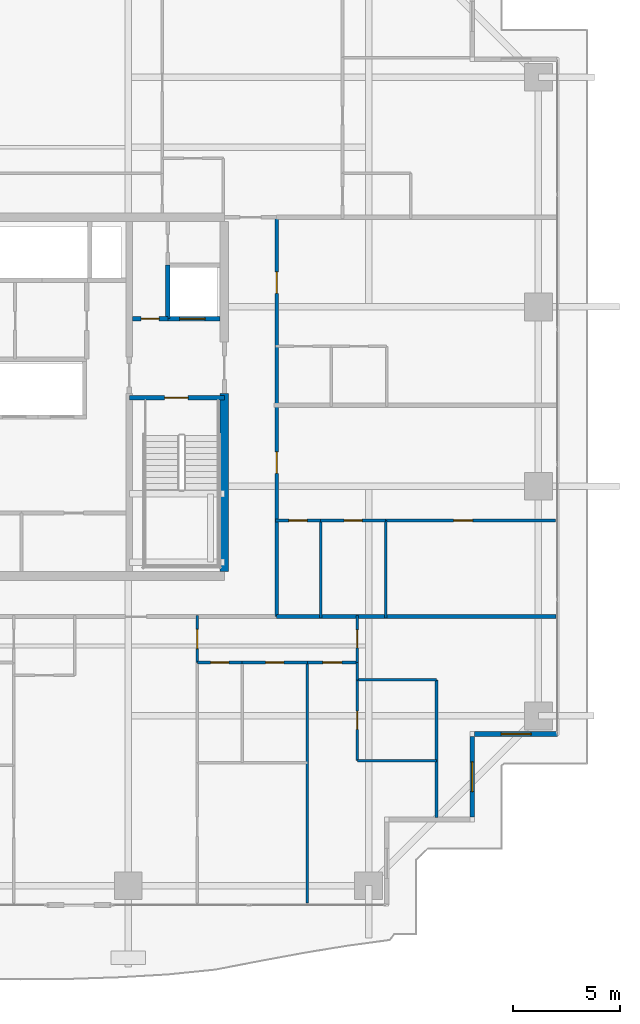
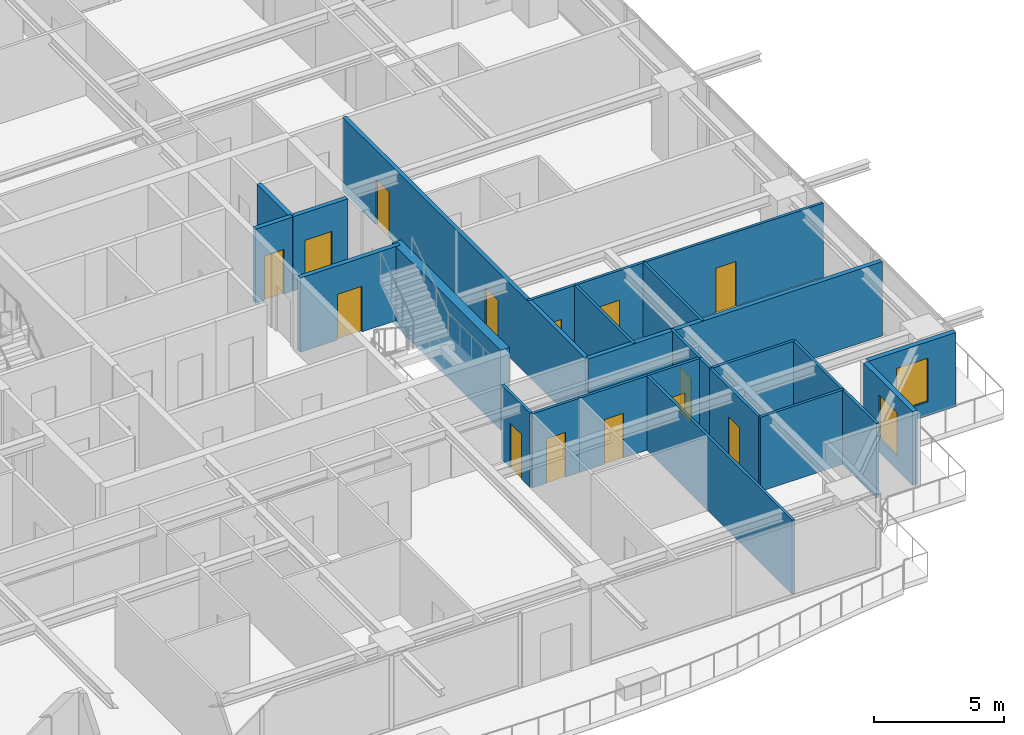
# One storey, part 26 of 34: 25 walls, 14 doors, 2 windows, 16 openings.
"""IFC4 building model written with IfcOpenShell, lengths in metres."""

from ifc_helpers import new_model, si_unit, direction, frame, frame_2d, origin, place, context, subcontext, project, spatial, rectangle, extrude, source, transform, mapped, material, layer, layer_set, type_object, element, fill, save


model = new_model("IFC4")

# Units and contexts
model_context = context("Model", 3, precision=1e-05, world=origin(), true_north=direction((0.0, 1.0)))
body_context = subcontext(model_context, "Body", "Model", "MODEL_VIEW")
ifc_project = project(units=[si_unit("LENGTHUNIT", "METRE"), si_unit("AREAUNIT", "SQUARE_METRE"), si_unit("VOLUMEUNIT", "CUBIC_METRE"), si_unit("PLANEANGLEUNIT", "RADIAN"), si_unit("MASSUNIT", "GRAM", prefix="KILO")], contexts=[model_context])

# Site, building, storey
site_placement = place(None, origin())
site = spatial("IfcSite", under=ifc_project, at=site_placement, CompositionType="ELEMENT")
building_placement = place(site_placement, origin())
building = spatial("IfcBuilding", under=site, at=building_placement, Name="Serunith Strait Residences", CompositionType="ELEMENT")
storey_placement = place(building_placement, frame((0.0, 0.0, 187.64990234375)))
storey = spatial("IfcBuildingStorey", under=building, at=storey_placement, Name="L47", CompositionType="ELEMENT", Elevation=187.64990234375)

# Wall, opening, window
ifc_material_1 = material(Name="Pale-Champagne Aluminium Insulated Panel", Category="aluminium")
ifc_layer_1 = layer(ifc_material_1, 0.219970703125, Name="Pale-Champagne Aluminium Insulated Panel")
ifc_layer_set_1 = layer_set([ifc_layer_1], Name="Pale-Champagne Aluminium Insulated Panel")
wall_type_1 = type_object("IfcWallType", Name="EW-ALUM-220", PredefinedType="ELEMENTEDWALL", material=ifc_layer_set_1)
wall_1_placement = place(storey_placement, frame((53.0, 5.510009765625, 0.0), z_axis=(0.0, 0.0, 1.0), x_axis=(0.0, 1.0, 0.0)))
wall_1 = element("IfcWall", 1, at=wall_1_placement, inside=storey, type_object=wall_type_1, Name="L47 Girih Serrated Corner Wall 04", PredefinedType="ELEMENTEDWALL", context=body_context, shape_type="SweptSolid", body=[
    extrude(rectangle(XDim=3.780029296875, YDim=0.219970703125, at=frame_2d((1.89013671875, 0.0))), origin(), (0.0, 0.0, 1.0), 3.47509765625),
])
opening_1_placement = place(wall_1_placement, frame((1.18994140625, 0.0, 0.64990234375)))
opening_1 = element("IfcOpeningElement", 2, at=opening_1_placement, cuts=wall_1, Name="Opening W-03", PredefinedType="OPENING", context=body_context, shape_type="SweptSolid", body=[
    extrude(rectangle(XDim=1.39990234375, YDim=2.050048828125, at=frame_2d((0.699951171875, 1.02490234375))), frame((0.0, 0.1201171875, 0.0), z_axis=(0.0, -1.0, 0.0), x_axis=(1.0, 0.0, 0.0)), (0.0, 0.0, 1.0), 0.239990234375),
])
ifc_material_2 = material(Name="Ceramic-Fritted Operable Aluminium Window Glass", Category="aluminium")
window_type = type_object("IfcWindowType", Name="WIN-C3", PartitioningType="SINGLE_PANEL", PredefinedType="WINDOW", material=ifc_material_2)
shared_shape_1 = source(origin(), body_context, "Body", "SweptSolid", [
    extrude(rectangle(XDim=1.39990234375, YDim=2.050048828125, at=frame_2d((0.699951171875, 1.02490234375))), frame((0.0, 0.030029296875, 0.0), z_axis=(0.0, -1.0, 0.0), x_axis=(1.0, 0.0, 0.0)), (0.0, 0.0, 1.0), 0.06005859375),
])
window_1_placement = place(opening_1_placement, origin())
window_1 = element("IfcWindow", 3, at=window_1_placement, inside=storey, type_object=window_type, Name="L47 Corner Operable Fritted Window 04", OverallHeight=2.050048828125, OverallWidth=1.39990234375, PartitioningType="SINGLE_PANEL", PredefinedType="WINDOW", context=body_context, shape_type="MappedRepresentation", body=[
    mapped(shared_shape_1, transform((0.0, 0.0, 0.0), scale=1.0)),
])
fill(opening_1, window_1)

wall_2_placement = place(storey_placement, frame((53.110107421875, 9.39990234375, 0.0), z_axis=(0.0, 0.0, 1.0), x_axis=(1.0, 0.0, 0.0)))
wall_2 = element("IfcWall", 4, at=wall_2_placement, inside=storey, type_object=wall_type_1, Name="L47 Girih Serrated Corner Wall 05", PredefinedType="ELEMENTEDWALL", context=body_context, shape_type="SweptSolid", body=[
    extrude(rectangle(XDim=3.889892578125, YDim=0.219970703125, at=frame_2d((1.94482421875, 0.0))), origin(), (0.0, 0.0, 1.0), 3.47509765625),
])
opening_2_placement = place(wall_2_placement, frame((1.2451171875, 0.0, 0.64990234375)))
opening_2 = element("IfcOpeningElement", 5, at=opening_2_placement, cuts=wall_2, Name="Opening W-03", PredefinedType="OPENING", context=body_context, shape_type="SweptSolid", body=[
    extrude(rectangle(XDim=1.39990234375, YDim=2.050048828125, at=frame_2d((0.699951171875, 1.02490234375))), frame((0.0, 0.1201171875, 0.0), z_axis=(0.0, -1.0, 0.0), x_axis=(1.0, 0.0, 0.0)), (0.0, 0.0, 1.0), 0.239990234375),
])
window_2_placement = place(opening_2_placement, origin())
window_2 = element("IfcWindow", 6, at=window_2_placement, inside=storey, type_object=window_type, Name="L47 Corner Operable Fritted Window 05", OverallHeight=2.050048828125, OverallWidth=1.39990234375, PartitioningType="SINGLE_PANEL", PredefinedType="WINDOW", context=body_context, shape_type="MappedRepresentation", body=[
    mapped(shared_shape_1, transform((0.0, 0.0, 0.0), scale=1.0)),
])
fill(opening_2, window_2)

# Wall, openings, doors
ifc_material_3 = material(Name="Fire-rated acoustic gypsum partition")
ifc_layer_2 = layer(ifc_material_3, 0.179931640625, Name="Fire-rated acoustic gypsum partition")
ifc_layer_set_2 = layer_set([ifc_layer_2], Name="Fire-rated acoustic gypsum partition")
wall_type_2 = type_object("IfcWallType", Name="IW-CORR-180", PredefinedType="PARTITIONING", material=ifc_layer_set_2)
wall_3_placement = place(storey_placement, frame((43.85009765625, 14.89990234375, 0.0), z_axis=(0.0, 0.0, 1.0), x_axis=(0.0, 1.0, 0.0)))
wall_3 = element("IfcWall", 7, at=wall_3_placement, inside=storey, type_object=wall_type_2, Name="L47 Partition Wall 026", PredefinedType="PARTITIONING", context=body_context, shape_type="SweptSolid", body=[
    extrude(rectangle(XDim=18.7001953125, YDim=0.179931640625, at=frame_2d((9.35009765625, 0.0))), origin(), (0.0, 0.0, 1.0), 3.489990234375),
])
opening_3_placement = place(wall_3_placement, frame((6.7080078125, 0.0, 0.0)))
opening_3 = element("IfcOpeningElement", 8, at=opening_3_placement, cuts=wall_3, Name="Opening D-APT1000", PredefinedType="OPENING", context=body_context, shape_type="SweptSolid", body=[
    extrude(rectangle(XDim=1.0, YDim=2.14990234375, at=frame_2d((0.5, 1.074951171875))), frame((0.0, 0.10009765625, 0.0), z_axis=(0.0, -1.0, 0.0), x_axis=(1.0, 0.0, 0.0)), (0.0, 0.0, 1.0), 0.199951171875),
])
opening_4_placement = place(wall_3_placement, frame((15.134033203125, 0.0, 0.0)))
opening_4 = element("IfcOpeningElement", 9, at=opening_4_placement, cuts=wall_3, Name="Opening D-APT1000", PredefinedType="OPENING", context=body_context, shape_type="SweptSolid", body=[
    extrude(rectangle(XDim=1.0, YDim=2.14990234375, at=frame_2d((0.5, 1.074951171875))), frame((0.0, 0.10009765625, 0.0), z_axis=(0.0, -1.0, 0.0), x_axis=(1.0, 0.0, 0.0)), (0.0, 0.0, 1.0), 0.199951171875),
])
ifc_material_4 = material(Name="Solid timber engineered fire door", Category="wood")
door_type_1 = type_object("IfcDoorType", Name="ID-APT-1000", OperationType="NOTDEFINED", PredefinedType="DOOR", material=ifc_material_4)
shared_shape_2 = source(origin(), body_context, "Body", "SweptSolid", [
    extrude(rectangle(XDim=1.0, YDim=2.14990234375, at=frame_2d((0.5, 1.074951171875))), frame((0.0, 0.02490234375, 0.0), z_axis=(0.0, -1.0, 0.0), x_axis=(1.0, 0.0, 0.0)), (0.0, 0.0, 1.0), 0.050048828125),
])
door_1_placement = place(opening_3_placement, origin())
door_1 = element("IfcDoor", 10, at=door_1_placement, inside=storey, type_object=door_type_1, Name="L47 Unit 05 Entrance Door", OperationType="SINGLE_SWING_LEFT", OverallHeight=2.14990234375, OverallWidth=1.0, PredefinedType="DOOR", context=body_context, shape_type="MappedRepresentation", body=[
    mapped(shared_shape_2, transform((0.0, 0.0, 0.0), scale=1.0)),
])
fill(opening_3, door_1)
door_2_placement = place(opening_4_placement, origin())
door_2 = element("IfcDoor", 11, at=door_2_placement, inside=storey, type_object=door_type_1, Name="L47 Unit 06 Entrance Door", OperationType="SINGLE_SWING_RIGHT", OverallHeight=2.14990234375, OverallWidth=1.0, PredefinedType="DOOR", context=body_context, shape_type="MappedRepresentation", body=[
    mapped(shared_shape_2, transform((0.0, 0.0, 0.0), scale=1.0)),
])
fill(opening_4, door_2)

# Wall, opening, door
ifc_material_5 = material(Name="Lightweight steel-stud gypsum partition", Category="steel")
ifc_layer_3 = layer(ifc_material_5, 0.1201171875, Name="Lightweight steel-stud gypsum partition")
ifc_layer_set_3 = layer_set([ifc_layer_3], Name="Lightweight steel-stud gypsum partition")
wall_type_3 = type_object("IfcWallType", Name="IW-PART-120", PredefinedType="PARTITIONING", material=ifc_layer_set_3)
wall_4_placement = place(storey_placement, frame((40.1298828125, 12.75, 0.0), z_axis=(0.0, 0.0, 1.0), x_axis=(0.0, 1.0, 0.0)))
wall_4 = element("IfcWall", 12, at=wall_4_placement, inside=storey, type_object=wall_type_3, Name="L47 Partition Wall 046", PredefinedType="PARTITIONING", context=body_context, shape_type="SweptSolid", body=[
    extrude(rectangle(XDim=2.2099609375, YDim=0.1201171875, at=frame_2d((1.10498046875, 0.0))), origin(), (0.0, 0.0, 1.0), 3.489990234375),
])
opening_5_placement = place(wall_4_placement, frame((0.655029296875, 0.0, 0.0)))
opening_5 = element("IfcOpeningElement", 13, at=opening_5_placement, cuts=wall_4, Name="Opening D-RM900", PredefinedType="OPENING", context=body_context, shape_type="SweptSolid", body=[
    extrude(rectangle(XDim=0.89990234375, YDim=2.10009765625, at=frame_2d((0.449951171875, 1.050048828125))), frame((0.0, 0.070068359375, 0.0), z_axis=(0.0, -1.0, 0.0), x_axis=(1.0, 0.0, 0.0)), (0.0, 0.0, 1.0), 0.14013671875),
])
ifc_material_6 = material(Name="Engineered timber flush bedroom door", Category="wood")
door_type_2 = type_object("IfcDoorType", Name="ID-ROOM-900", OperationType="NOTDEFINED", PredefinedType="DOOR", material=ifc_material_6)
shared_shape_3 = source(origin(), body_context, "Body", "SweptSolid", [
    extrude(rectangle(XDim=0.89990234375, YDim=2.10009765625, at=frame_2d((0.449951171875, 1.050048828125))), frame((0.0, 0.02490234375, 0.0), z_axis=(0.0, -1.0, 0.0), x_axis=(1.0, 0.0, 0.0)), (0.0, 0.0, 1.0), 0.050048828125),
])
door_3_placement = place(opening_5_placement, origin())
door_3 = element("IfcDoor", 14, at=door_3_placement, inside=storey, type_object=door_type_2, Name="L47 Hall E 4701 Door", OperationType="SINGLE_SWING_LEFT", OverallHeight=2.10009765625, OverallWidth=0.89990234375, PredefinedType="DOOR", context=body_context, shape_type="MappedRepresentation", body=[
    mapped(shared_shape_3, transform((0.0, 0.0, 0.0), scale=1.0)),
])
fill(opening_5, door_3)

# Wall
wall_5_placement = place(storey_placement, frame((45.280029296875, 1.4951171875, 0.0), z_axis=(0.0, 0.0, 1.0), x_axis=(0.0, 1.0, 0.0)))
element("IfcWall", 15, at=wall_5_placement, inside=storey, type_object=wall_type_3, Name="L47 Partition Wall 050", PredefinedType="PARTITIONING", context=body_context, shape_type="SweptSolid", body=[
    extrude(rectangle(XDim=11.2548828125, YDim=0.1201171875, at=frame_2d((5.62744140625, 0.0))), origin(), (0.0, 0.0, 1.0), 3.489990234375),
])

# Wall, opening, door
wall_6_placement = place(storey_placement, frame((40.1298828125, 12.75, 0.0), z_axis=(0.0, 0.0, 1.0), x_axis=(1.0, 0.0, 0.0)))
wall_6 = element("IfcWall", 16, at=wall_6_placement, inside=storey, type_object=wall_type_3, Name="L47 Partition Wall 052", PredefinedType="PARTITIONING", context=body_context, shape_type="SweptSolid", body=[
    extrude(rectangle(XDim=2.10009765625, YDim=0.1201171875, at=frame_2d((1.050048828125, 0.0))), origin(), (0.0, 0.0, 1.0), 3.489990234375),
])
opening_6_placement = place(wall_6_placement, frame((0.625, 0.0, 0.0)))
opening_6 = element("IfcOpeningElement", 17, at=opening_6_placement, cuts=wall_6, Name="Opening D-RM850", PredefinedType="OPENING", context=body_context, shape_type="SweptSolid", body=[
    extrude(rectangle(XDim=0.85009765625, YDim=2.10009765625, at=frame_2d((0.425048828125, 1.050048828125))), frame((0.0, 0.070068359375, 0.0), z_axis=(0.0, -1.0, 0.0), x_axis=(1.0, 0.0, 0.0)), (0.0, 0.0, 1.0), 0.14013671875),
])
ifc_material_7 = material(Name="Engineered timber flush study and kitchen door", Category="wood")
door_type_3 = type_object("IfcDoorType", Name="ID-ROOM-850", OperationType="NOTDEFINED", PredefinedType="DOOR", material=ifc_material_7)
shared_shape_4 = source(origin(), body_context, "Body", "SweptSolid", [
    extrude(rectangle(XDim=0.85009765625, YDim=2.10009765625, at=frame_2d((0.425048828125, 1.050048828125))), frame((0.0, 0.02490234375, 0.0), z_axis=(0.0, -1.0, 0.0), x_axis=(1.0, 0.0, 0.0)), (0.0, 0.0, 1.0), 0.050048828125),
])
door_4_placement = place(opening_6_placement, origin())
door_4 = element("IfcDoor", 18, at=door_4_placement, inside=storey, type_object=door_type_3, Name="L47 Study 4701 Door", OperationType="SINGLE_SWING_LEFT", OverallHeight=2.10009765625, OverallWidth=0.85009765625, PredefinedType="DOOR", context=body_context, shape_type="MappedRepresentation", body=[
    mapped(shared_shape_4, transform((0.0, 0.0, 0.0), scale=1.0)),
])
fill(opening_6, door_4)

wall_7_placement = place(storey_placement, frame((42.23193359375, 12.75, 0.0), z_axis=(0.0, 0.0, 1.0), x_axis=(1.0, 0.0, 0.0)))
wall_7 = element("IfcWall", 19, at=wall_7_placement, inside=storey, type_object=wall_type_3, Name="L47 Partition Wall 053", PredefinedType="PARTITIONING", context=body_context, shape_type="SweptSolid", body=[
    extrude(rectangle(XDim=3.048095703125, YDim=0.1201171875, at=frame_2d((1.52392578125, 0.0))), origin(), (0.0, 0.0, 1.0), 3.489990234375),
])
opening_7_placement = place(wall_7_placement, frame((1.09912109375, 0.0, 0.0)))
opening_7 = element("IfcOpeningElement", 20, at=opening_7_placement, cuts=wall_7, Name="Opening D-RM850", PredefinedType="OPENING", context=body_context, shape_type="SweptSolid", body=[
    extrude(rectangle(XDim=0.85009765625, YDim=2.10009765625, at=frame_2d((0.425048828125, 1.050048828125))), frame((0.0, 0.070068359375, 0.0), z_axis=(0.0, -1.0, 0.0), x_axis=(1.0, 0.0, 0.0)), (0.0, 0.0, 1.0), 0.14013671875),
])
door_5_placement = place(opening_7_placement, origin())
door_5 = element("IfcDoor", 21, at=door_5_placement, inside=storey, type_object=door_type_3, Name="L47 Formal Dining Room 4701 Door", OperationType="SINGLE_SWING_RIGHT", OverallHeight=2.10009765625, OverallWidth=0.85009765625, PredefinedType="DOOR", context=body_context, shape_type="MappedRepresentation", body=[
    mapped(shared_shape_4, transform((0.0, 0.0, 0.0), scale=1.0)),
])
fill(opening_7, door_5)

wall_8_placement = place(storey_placement, frame((45.281982421875, 12.75, 0.0), z_axis=(0.0, 0.0, 1.0), x_axis=(1.0, 0.0, 0.0)))
wall_8 = element("IfcWall", 22, at=wall_8_placement, inside=storey, type_object=wall_type_3, Name="L47 Partition Wall 054", PredefinedType="PARTITIONING", context=body_context, shape_type="SweptSolid", body=[
    extrude(rectangle(XDim=2.347900390625, YDim=0.1201171875, at=frame_2d((1.173828125, 0.0))), origin(), (0.0, 0.0, 1.0), 3.489990234375),
])
opening_8_placement = place(wall_8_placement, frame((0.72412109375, 0.0, 0.0)))
opening_8 = element("IfcOpeningElement", 23, at=opening_8_placement, cuts=wall_8, Name="Opening D-RM900", PredefinedType="OPENING", context=body_context, shape_type="SweptSolid", body=[
    extrude(rectangle(XDim=0.89990234375, YDim=2.10009765625, at=frame_2d((0.449951171875, 1.050048828125))), frame((0.0, 0.070068359375, 0.0), z_axis=(0.0, -1.0, 0.0), x_axis=(1.0, 0.0, 0.0)), (0.0, 0.0, 1.0), 0.14013671875),
])
door_6_placement = place(opening_8_placement, origin())
door_6 = element("IfcDoor", 24, at=door_6_placement, inside=storey, type_object=door_type_2, Name="L47 Master Bedroom E 4701 Door", OperationType="SINGLE_SWING_LEFT", OverallHeight=2.10009765625, OverallWidth=0.89990234375, PredefinedType="DOOR", context=body_context, shape_type="MappedRepresentation", body=[
    mapped(shared_shape_3, transform((0.0, 0.0, 0.0), scale=1.0)),
])
fill(opening_8, door_6)

# Walls
wall_9_placement = place(storey_placement, frame((47.6298828125, 8.156982421875, 0.0), z_axis=(0.0, 0.0, 1.0), x_axis=(1.0, 0.0, 0.0)))
element("IfcWall", 25, at=wall_9_placement, inside=storey, type_object=wall_type_3, Name="L47 Partition Wall 055", PredefinedType="PARTITIONING", context=body_context, shape_type="SweptSolid", body=[
    extrude(rectangle(XDim=3.7001953125, YDim=0.1201171875, at=frame_2d((1.85009765625, 0.0))), origin(), (0.0, 0.0, 1.0), 3.489990234375),
])
wall_10_placement = place(storey_placement, frame((51.330078125, 5.4951171875, 0.0), z_axis=(0.0, 0.0, 1.0), x_axis=(0.0, 1.0, 0.0)))
element("IfcWall", 26, at=wall_10_placement, inside=storey, type_object=wall_type_3, Name="L47 Partition Wall 056", PredefinedType="PARTITIONING", context=body_context, shape_type="SweptSolid", body=[
    extrude(rectangle(XDim=6.44580078125, YDim=0.1201171875, at=frame_2d((3.222900390625, 0.0))), origin(), (0.0, 0.0, 1.0), 3.489990234375),
])
wall_11_placement = place(storey_placement, frame((47.6298828125, 11.94091796875, 0.0), z_axis=(0.0, 0.0, 1.0), x_axis=(1.0, 0.0, 0.0)))
element("IfcWall", 27, at=wall_11_placement, inside=storey, type_object=wall_type_3, Name="L47 Partition Wall 057", PredefinedType="PARTITIONING", context=body_context, shape_type="SweptSolid", body=[
    extrude(rectangle(XDim=3.7001953125, YDim=0.1201171875, at=frame_2d((1.85009765625, 0.0))), origin(), (0.0, 0.0, 1.0), 3.489990234375),
])

# Wall, opening, door
wall_12_placement = place(storey_placement, frame((47.6298828125, 8.156982421875, 0.0), z_axis=(0.0, 0.0, 1.0), x_axis=(0.0, 1.0, 0.0)))
wall_12 = element("IfcWall", 28, at=wall_12_placement, inside=storey, type_object=wall_type_3, Name="L47 Partition Wall 058", PredefinedType="PARTITIONING", context=body_context, shape_type="SweptSolid", body=[
    extrude(rectangle(XDim=3.783935546875, YDim=0.1201171875, at=frame_2d((1.89208984375, 0.0))), origin(), (0.0, 0.0, 1.0), 3.489990234375),
])
opening_9_placement = place(wall_12_placement, frame((1.467041015625, 0.0, 0.0)))
opening_9 = element("IfcOpeningElement", 29, at=opening_9_placement, cuts=wall_12, Name="Opening D-BTH850", PredefinedType="OPENING", context=body_context, shape_type="SweptSolid", body=[
    extrude(rectangle(XDim=0.85009765625, YDim=2.10009765625, at=frame_2d((0.425048828125, 1.050048828125))), frame((0.0, 0.070068359375, 0.0), z_axis=(0.0, -1.0, 0.0), x_axis=(1.0, 0.0, 0.0)), (0.0, 0.0, 1.0), 0.14013671875),
])
ifc_material_8 = material(Name="Moisture-resistant timber bathroom door", Category="wood")
door_type_4 = type_object("IfcDoorType", Name="ID-BATH-850", OperationType="NOTDEFINED", PredefinedType="DOOR", material=ifc_material_8)
door_7_placement = place(opening_9_placement, origin())
door_7 = element("IfcDoor", 30, at=door_7_placement, inside=storey, type_object=door_type_4, Name="L47 En-suite Bathroom E 4701 Door", OperationType="SINGLE_SWING_RIGHT", OverallHeight=2.10009765625, OverallWidth=0.85009765625, PredefinedType="DOOR", context=body_context, shape_type="MappedRepresentation", body=[
    mapped(shared_shape_4, transform((0.0, 0.0, 0.0), scale=1.0)),
])
fill(opening_9, door_7)

# Wall
wall_13_placement = place(storey_placement, frame((47.6298828125, 11.943115234375, 0.0), z_axis=(0.0, 0.0, 1.0), x_axis=(0.0, 1.0, 0.0)))
element("IfcWall", 31, at=wall_13_placement, inside=storey, type_object=wall_type_3, Name="L47 Partition Wall 059", PredefinedType="PARTITIONING", context=body_context, shape_type="SweptSolid", body=[
    extrude(rectangle(XDim=0.806884765625, YDim=0.1201171875, at=frame_2d((0.4033203125, 0.0))), origin(), (0.0, 0.0, 1.0), 3.489990234375),
])

# Wall, opening, door
wall_14_placement = place(storey_placement, frame((47.6298828125, 12.751953125, 0.0), z_axis=(0.0, 0.0, 1.0), x_axis=(0.0, 1.0, 0.0)))
wall_14 = element("IfcWall", 32, at=wall_14_placement, inside=storey, type_object=wall_type_3, Name="L47 Partition Wall 060", PredefinedType="PARTITIONING", context=body_context, shape_type="SweptSolid", body=[
    extrude(rectangle(XDim=2.2080078125, YDim=0.1201171875, at=frame_2d((1.10400390625, 0.0))), origin(), (0.0, 0.0, 1.0), 3.489990234375),
])
opening_10_placement = place(wall_14_placement, frame((0.678955078125, 0.0, 0.0)))
opening_10 = element("IfcOpeningElement", 33, at=opening_10_placement, cuts=wall_14, Name="Opening D-RM850", PredefinedType="OPENING", context=body_context, shape_type="SweptSolid", body=[
    extrude(rectangle(XDim=0.85009765625, YDim=2.10009765625, at=frame_2d((0.425048828125, 1.050048828125))), frame((0.0, 0.070068359375, 0.0), z_axis=(0.0, -1.0, 0.0), x_axis=(1.0, 0.0, 0.0)), (0.0, 0.0, 1.0), 0.14013671875),
])
door_8_placement = place(opening_10_placement, origin())
door_8 = element("IfcDoor", 34, at=door_8_placement, inside=storey, type_object=door_type_3, Name="L47 Wardrobe E 4701 Door", OperationType="SINGLE_SWING_LEFT", OverallHeight=2.10009765625, OverallWidth=0.85009765625, PredefinedType="DOOR", context=body_context, shape_type="MappedRepresentation", body=[
    mapped(shared_shape_4, transform((0.0, 0.0, 0.0), scale=1.0)),
])
fill(opening_10, door_8)

wall_15_placement = place(storey_placement, frame((56.905029296875, 19.39990234375, 0.0), z_axis=(0.0, 0.0, 1.0), x_axis=(-1.0, 0.0, 0.0)))
wall_15 = element("IfcWall", 35, at=wall_15_placement, inside=storey, type_object=wall_type_3, Name="L47 Partition Wall 096", PredefinedType="PARTITIONING", context=body_context, shape_type="SweptSolid", body=[
    extrude(rectangle(XDim=7.950927734375, YDim=0.1201171875, at=frame_2d((3.9755859375, 0.0))), origin(), (0.0, 0.0, 1.0), 3.489990234375),
])
opening_11_placement = place(wall_15_placement, frame((3.8779296875, 0.0, 0.0)))
opening_11 = element("IfcOpeningElement", 36, at=opening_11_placement, cuts=wall_15, Name="Opening D-RM900", PredefinedType="OPENING", context=body_context, shape_type="SweptSolid", body=[
    extrude(rectangle(XDim=0.89990234375, YDim=2.10009765625, at=frame_2d((0.449951171875, 1.050048828125))), frame((0.0, 0.070068359375, 0.0), z_axis=(0.0, -1.0, 0.0), x_axis=(1.0, 0.0, 0.0)), (0.0, 0.0, 1.0), 0.14013671875),
])
door_9_placement = place(opening_11_placement, origin())
door_9 = element("IfcDoor", 37, at=door_9_placement, inside=storey, type_object=door_type_2, Name="L47 Master Bedroom 1 4705 Door", OperationType="SINGLE_SWING_RIGHT", OverallHeight=2.10009765625, OverallWidth=0.89990234375, PredefinedType="DOOR", context=body_context, shape_type="MappedRepresentation", body=[
    mapped(shared_shape_3, transform((0.0, 0.0, 0.0), scale=1.0)),
])
fill(opening_11, door_9)

# Walls
for number, where, z_axis, x_axis, name in (
    (38, (48.9541015625, 14.840087890625, 0.0), (0.0, 0.0, 1.0), (0.0, 1.0, 0.0), "L47 Partition Wall 097"),
    (39, (45.906005859375, 14.840087890625, 0.0), (0.0, 0.0, 1.0), (0.0, 1.0, 0.0), "L47 Partition Wall 098"),
):
    element("IfcWall", number, at=place(storey_placement, frame(where, z_axis=z_axis, x_axis=x_axis)), inside=storey, type_object=wall_type_3, Name=name, PredefinedType="PARTITIONING", context=body_context, shape_type="SweptSolid", body=[
        extrude(rectangle(XDim=4.559814453125, YDim=0.1201171875, at=frame_2d((2.27978515625, 0.0))), origin(), (0.0, 0.0, 1.0), 3.489990234375),
    ])

# Wall, opening, door
wall_16_placement = place(storey_placement, frame((48.951904296875, 19.39990234375, 0.0), z_axis=(0.0, 0.0, 1.0), x_axis=(-1.0, 0.0, 0.0)))
wall_16 = element("IfcWall", 40, at=wall_16_placement, inside=storey, type_object=wall_type_3, Name="L47 Partition Wall 099", PredefinedType="PARTITIONING", context=body_context, shape_type="SweptSolid", body=[
    extrude(rectangle(XDim=3.0458984375, YDim=0.1201171875, at=frame_2d((1.52294921875, 0.0))), origin(), (0.0, 0.0, 1.0), 3.489990234375),
])
opening_12_placement = place(wall_16_placement, frame((1.097900390625, 0.0, 0.0)))
opening_12 = element("IfcOpeningElement", 41, at=opening_12_placement, cuts=wall_16, Name="Opening D-RM850", PredefinedType="OPENING", context=body_context, shape_type="SweptSolid", body=[
    extrude(rectangle(XDim=0.85009765625, YDim=2.10009765625, at=frame_2d((0.425048828125, 1.050048828125))), frame((0.0, 0.070068359375, 0.0), z_axis=(0.0, -1.0, 0.0), x_axis=(1.0, 0.0, 0.0)), (0.0, 0.0, 1.0), 0.14013671875),
])
door_10_placement = place(opening_12_placement, origin())
door_10 = element("IfcDoor", 42, at=door_10_placement, inside=storey, type_object=door_type_3, Name="L47 Kitchen 4705 Door", OperationType="SINGLE_SWING_LEFT", OverallHeight=2.10009765625, OverallWidth=0.85009765625, PredefinedType="DOOR", context=body_context, shape_type="MappedRepresentation", body=[
    mapped(shared_shape_4, transform((0.0, 0.0, 0.0), scale=1.0)),
])
fill(opening_12, door_10)

wall_17_placement = place(storey_placement, frame((45.904052734375, 19.39990234375, 0.0), z_axis=(0.0, 0.0, 1.0), x_axis=(-1.0, 0.0, 0.0)))
wall_17 = element("IfcWall", 43, at=wall_17_placement, inside=storey, type_object=wall_type_3, Name="L47 Partition Wall 100", PredefinedType="PARTITIONING", context=body_context, shape_type="SweptSolid", body=[
    extrude(rectangle(XDim=2.114013671875, YDim=0.1201171875, at=frame_2d((1.05712890625, 0.0))), origin(), (0.0, 0.0, 1.0), 3.489990234375),
])
opening_13_placement = place(wall_17_placement, frame((0.632080078125, 0.0, 0.0)))
opening_13 = element("IfcOpeningElement", 44, at=opening_13_placement, cuts=wall_17, Name="Opening D-BTH850", PredefinedType="OPENING", context=body_context, shape_type="SweptSolid", body=[
    extrude(rectangle(XDim=0.85009765625, YDim=2.10009765625, at=frame_2d((0.425048828125, 1.050048828125))), frame((0.0, 0.070068359375, 0.0), z_axis=(0.0, -1.0, 0.0), x_axis=(1.0, 0.0, 0.0)), (0.0, 0.0, 1.0), 0.14013671875),
])
door_11_placement = place(opening_13_placement, origin())
door_11 = element("IfcDoor", 45, at=door_11_placement, inside=storey, type_object=door_type_4, Name="L47 Bathroom 4705 Door", OperationType="SINGLE_SWING_RIGHT", OverallHeight=2.10009765625, OverallWidth=0.85009765625, PredefinedType="DOOR", context=body_context, shape_type="MappedRepresentation", body=[
    mapped(shared_shape_4, transform((0.0, 0.0, 0.0), scale=1.0)),
])
fill(opening_13, door_11)

# Wall
ifc_material_9 = material(Name="Twin-stud acoustic gypsum board partition")
ifc_layer_4 = layer(ifc_material_9, 0.199951171875, Name="Twin-stud acoustic gypsum board partition")
ifc_layer_set_4 = layer_set([ifc_layer_4], Name="Twin-stud acoustic gypsum board partition")
wall_type_4 = type_object("IfcWallType", Name="IW-PARTY-200", PredefinedType="PARTITIONING", material=ifc_layer_set_4)
wall_18_placement = place(storey_placement, frame((43.85009765625, 14.89990234375, 0.0), z_axis=(0.0, 0.0, 1.0), x_axis=(1.0, 0.0, 0.0)))
element("IfcWall", 46, at=wall_18_placement, inside=storey, type_object=wall_type_4, Name="L47 Partition Wall 021", PredefinedType="PARTITIONING", context=body_context, shape_type="SweptSolid", body=[
    extrude(rectangle(XDim=13.06787109375, YDim=0.199951171875, at=frame_2d((6.533935546875, 0.0))), origin(), (0.0, 0.0, 1.0), 3.489990234375),
])

# Wall, opening, door
ifc_material_10 = material(Name="Autoclaved aerated concrete blockwork", Category="masonry")
ifc_layer_5 = layer(ifc_material_10, 0.199951171875, Name="Autoclaved aerated concrete blockwork")
ifc_layer_set_5 = layer_set([ifc_layer_5], Name="Autoclaved aerated concrete blockwork")
wall_type_5 = type_object("IfcWallType", Name="IW-SHAFT-200", PredefinedType="STANDARD", material=ifc_layer_set_5)
wall_19_placement = place(storey_placement, frame((36.949951171875, 25.14990234375, 0.0), z_axis=(0.0, 0.0, 1.0), x_axis=(1.0, 0.0, 0.0)))
wall_19 = element("IfcWall", 47, at=wall_19_placement, inside=storey, type_object=wall_type_5, Name="L47 ST-2 North Shaft Wall", PredefinedType="STANDARD", context=body_context, shape_type="SweptSolid", body=[
    extrude(rectangle(XDim=4.449951171875, YDim=0.199951171875, at=frame_2d((2.22509765625, 0.0))), origin(), (0.0, 0.0, 1.0), 3.489990234375),
])
opening_14_placement = place(wall_19_placement, frame((1.64990234375, 0.0, 0.0)))
opening_14 = element("IfcOpeningElement", 48, at=opening_14_placement, cuts=wall_19, Name="Opening FD-1100", PredefinedType="OPENING", context=body_context, shape_type="SweptSolid", body=[
    extrude(rectangle(XDim=1.10009765625, YDim=2.14990234375, at=frame_2d((0.550048828125, 1.074951171875))), frame((0.0, 0.10986328125, 0.0), z_axis=(0.0, -1.0, 0.0), x_axis=(1.0, 0.0, 0.0)), (0.0, 0.0, 1.0), 0.219970703125),
])
ifc_material_11 = material(Name="Galvanised steel fire door leaf", Category="steel")
door_type_5 = type_object("IfcDoorType", Name="FD-STAIR-1100", OperationType="NOTDEFINED", PredefinedType="DOOR", material=ifc_material_11)
shared_shape_5 = source(origin(), body_context, "Body", "SweptSolid", [
    extrude(rectangle(XDim=1.10009765625, YDim=2.14990234375, at=frame_2d((0.550048828125, 1.074951171875))), frame((0.0, 0.02490234375, 0.0), z_axis=(0.0, -1.0, 0.0), x_axis=(1.0, 0.0, 0.0)), (0.0, 0.0, 1.0), 0.050048828125),
])
door_12_placement = place(opening_14_placement, origin())
door_12 = element("IfcDoor", 49, at=door_12_placement, inside=storey, type_object=door_type_5, Name="L47 ST-2 Escape Stair Door", OperationType="SINGLE_SWING_RIGHT", OverallHeight=2.14990234375, OverallWidth=1.10009765625, PredefinedType="DOOR", context=body_context, shape_type="MappedRepresentation", body=[
    mapped(shared_shape_5, transform((0.0, 0.0, 0.0), scale=1.0)),
])
fill(opening_14, door_12)

wall_20_placement = place(storey_placement, frame((38.75, 28.85009765625, 0.0), z_axis=(0.0, 0.0, 1.0), x_axis=(1.0, 0.0, 0.0)))
wall_20 = element("IfcWall", 50, at=wall_20_placement, inside=storey, type_object=wall_type_5, Name="L47 FL-2 South Shaft Wall", PredefinedType="STANDARD", context=body_context, shape_type="SweptSolid", body=[
    extrude(rectangle(XDim=2.449951171875, YDim=0.199951171875, at=frame_2d((1.22509765625, 0.0))), origin(), (0.0, 0.0, 1.0), 3.489990234375),
])
opening_15_placement = place(wall_20_placement, frame((0.550048828125, 0.0, 0.0)))
opening_15 = element("IfcOpeningElement", 51, at=opening_15_placement, cuts=wall_20, Name="Opening LD-FF1200", PredefinedType="OPENING", context=body_context, shape_type="SweptSolid", body=[
    extrude(rectangle(XDim=1.199951171875, YDim=2.199951171875, at=frame_2d((0.60009765625, 1.10009765625))), frame((0.0, 0.10986328125, 0.0), z_axis=(0.0, -1.0, 0.0), x_axis=(1.0, 0.0, 0.0)), (0.0, 0.0, 1.0), 0.219970703125),
])
ifc_material_12 = material(Name="Brushed stainless steel landing door", Category="steel")
door_type_6 = type_object("IfcDoorType", Name="LD-FF-1200", OperationType="DOUBLE_DOOR_SLIDING", PredefinedType="DOOR", material=ifc_material_12)
shared_shape_6 = source(origin(), body_context, "Body", "SweptSolid", [
    extrude(rectangle(XDim=1.199951171875, YDim=2.199951171875, at=frame_2d((0.60009765625, 1.10009765625))), frame((0.0, 0.02490234375, 0.0), z_axis=(0.0, -1.0, 0.0), x_axis=(1.0, 0.0, 0.0)), (0.0, 0.0, 1.0), 0.050048828125),
])
door_13_placement = place(opening_15_placement, origin())
door_13 = element("IfcDoor", 52, at=door_13_placement, inside=storey, type_object=door_type_6, Name="L47 FL-2 Landing Door", OperationType="DOUBLE_DOOR_SLIDING", OverallHeight=2.199951171875, OverallWidth=1.199951171875, PredefinedType="DOOR", context=body_context, shape_type="MappedRepresentation", body=[
    mapped(shared_shape_6, transform((0.0, 0.0, 0.0), scale=1.0)),
])
fill(opening_15, door_13)

# Wall
wall_21_placement = place(storey_placement, frame((38.75, 28.85009765625, 0.0), z_axis=(0.0, 0.0, 1.0), x_axis=(0.0, 1.0, 0.0)))
element("IfcWall", 53, at=wall_21_placement, inside=storey, type_object=wall_type_5, Name="L47 Partition Wall 004", PredefinedType="STANDARD", context=body_context, shape_type="SweptSolid", body=[
    extrude(rectangle(XDim=2.5, YDim=0.199951171875, at=frame_2d((1.25, 0.0))), origin(), (0.0, 0.0, 1.0), 3.489990234375),
])

# Wall, opening, door
wall_22_placement = place(storey_placement, frame((37.10009765625, 28.85009765625, 0.0), z_axis=(0.0, 0.0, 1.0), x_axis=(1.0, 0.0, 0.0)))
wall_22 = element("IfcWall", 54, at=wall_22_placement, inside=storey, type_object=wall_type_5, Name="L47 Partition Wall 006", PredefinedType="STANDARD", context=body_context, shape_type="SweptSolid", body=[
    extrude(rectangle(XDim=1.64794921875, YDim=0.199951171875, at=frame_2d((0.823974609375, 0.0))), origin(), (0.0, 0.0, 1.0), 3.489990234375),
])
opening_16_placement = place(wall_22_placement, frame((0.39892578125, 0.0, 0.0)))
opening_16 = element("IfcOpeningElement", 55, at=opening_16_placement, cuts=wall_22, Name="Opening FD-850", PredefinedType="OPENING", context=body_context, shape_type="SweptSolid", body=[
    extrude(rectangle(XDim=0.85009765625, YDim=2.10009765625, at=frame_2d((0.425048828125, 1.050048828125))), frame((0.0, 0.10986328125, 0.0), z_axis=(0.0, -1.0, 0.0), x_axis=(1.0, 0.0, 0.0)), (0.0, 0.0, 1.0), 0.219970703125),
])
ifc_material_13 = material(Name="Powder-coated steel service closet door", Category="steel")
door_type_7 = type_object("IfcDoorType", Name="FD-BOH-850", OperationType="NOTDEFINED", PredefinedType="DOOR", material=ifc_material_13)
door_14_placement = place(opening_16_placement, origin())
door_14 = element("IfcDoor", 56, at=door_14_placement, inside=storey, type_object=door_type_7, Name="L47 North-East Core Service Door", OperationType="SINGLE_SWING_LEFT", OverallHeight=2.10009765625, OverallWidth=0.85009765625, PredefinedType="DOOR", context=body_context, shape_type="MappedRepresentation", body=[
    mapped(shared_shape_4, transform((0.0, 0.0, 0.0), scale=1.0)),
])
fill(opening_16, door_14)

# Wall
ifc_material_14 = material(Name="Concrete C70/85", Category="concrete")
ifc_layer_6 = layer(ifc_material_14, 0.39990234375, Name="Concrete C70/85")
ifc_layer_set_6 = layer_set([ifc_layer_6], Name="Concrete C70/85")
wall_type_6 = type_object("IfcWallType", Name="SW-400-C70", PredefinedType="SHEAR", material=ifc_layer_set_6)
wall_23_placement = place(storey_placement, frame((41.39990234375, 17.0, -0.260009765625), z_axis=(0.0, 0.0, 1.0), x_axis=(0.0, 1.0, 0.0)))
element("IfcWall", 57, at=wall_23_placement, inside=storey, type_object=wall_type_6, Name="L47 Core East Shear Wall South Pier", PredefinedType="SHEAR", context=body_context, shape_type="SweptSolid", body=[
    extrude(rectangle(XDim=8.35009765625, YDim=0.39990234375, at=frame_2d((4.175048828125, 0.0))), origin(), (0.0, 0.0, 1.0), 3.748046875),
])

save(model, "model.ifc")
